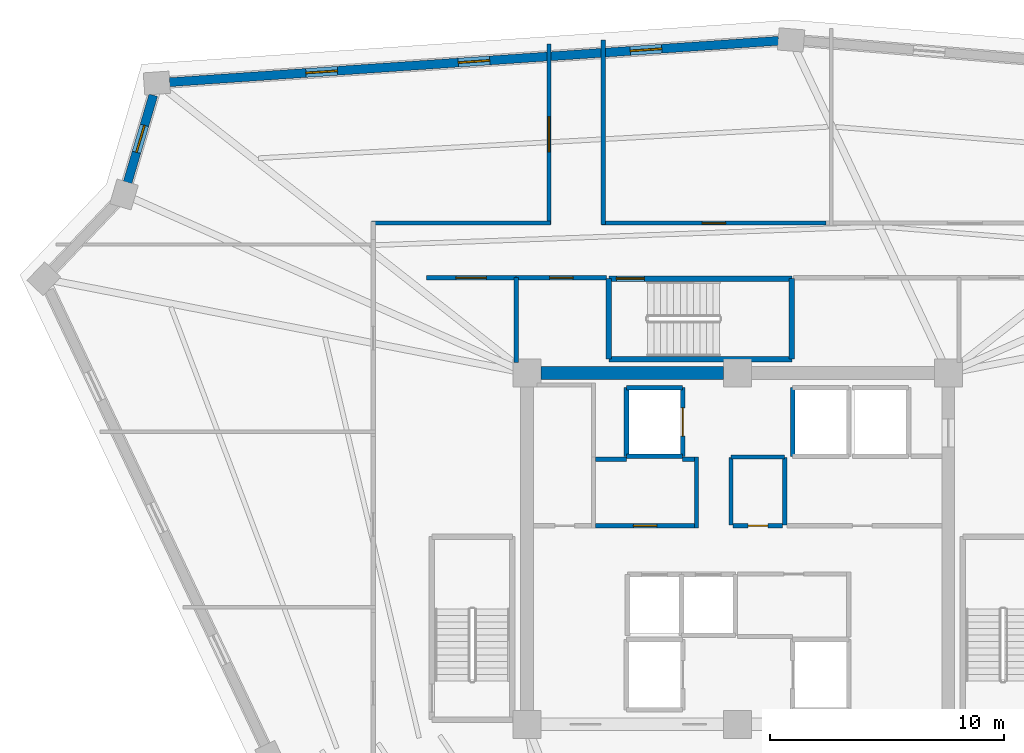
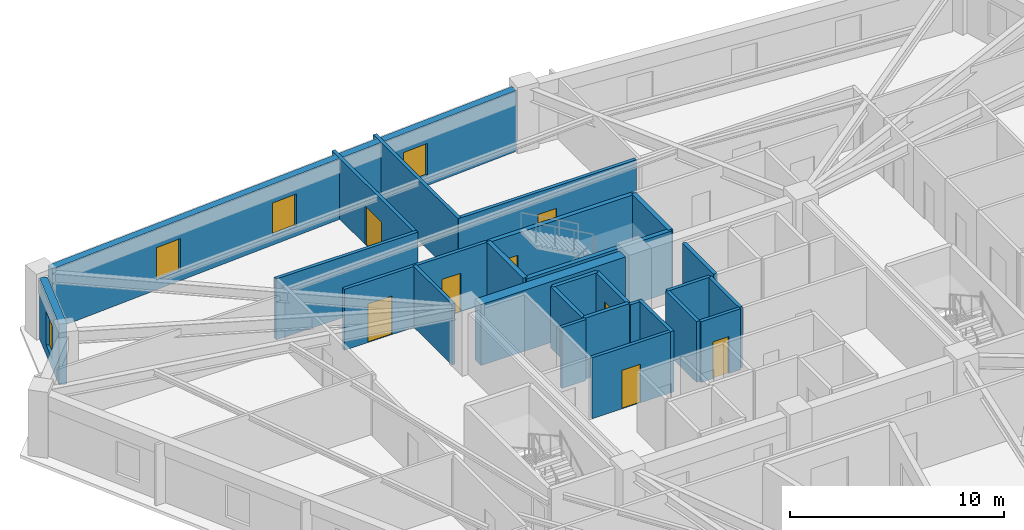
# One storey, part 5 of 8: 27 walls, 8 doors, 4 windows, 12 openings.
"""IFC4 building model written with IfcOpenShell, lengths in metres."""

from ifc_helpers import new_model, si_unit, direction, frame, frame_2d, origin, place, context, subcontext, project, spatial, rectangle, extrude, source, transform, mapped, material, layer, layer_set, type_object, element, fill, save


model = new_model("IFC4")

# Units and contexts
model_context = context("Model", 3, precision=1e-05, world=origin(), true_north=direction((0.0, 1.0)))
body_context = subcontext(model_context, "Body", "Model", "MODEL_VIEW")
ifc_project = project(units=[si_unit("LENGTHUNIT", "METRE"), si_unit("AREAUNIT", "SQUARE_METRE"), si_unit("VOLUMEUNIT", "CUBIC_METRE"), si_unit("PLANEANGLEUNIT", "RADIAN"), si_unit("MASSUNIT", "GRAM", prefix="KILO")], contexts=[model_context])

# Site, building, storey
site_placement = place(None, origin())
site = spatial("IfcSite", under=ifc_project, at=site_placement, CompositionType="ELEMENT")
building_placement = place(site_placement, origin())
building = spatial("IfcBuilding", under=site, at=building_placement, Name="Liaohun Quay Tower", CompositionType="ELEMENT")
storey_placement = place(building_placement, frame((0.0, 0.0, 320.25)))
storey = spatial("IfcBuildingStorey", under=building, at=storey_placement, Name="L83", CompositionType="ELEMENT", Elevation=320.25)

# Wall
ifc_material_1 = material(Name="Concrete C50", Category="concrete")
ifc_layer_1 = layer(ifc_material_1, 0.550048828125, Name="Concrete C50", Category="concrete")
ifc_layer_set_1 = layer_set([ifc_layer_1], Name="Concrete C50")
wall_type_1 = type_object("IfcWallType", Name="WAL-COR-Z4", PredefinedType="SHEAR", material=ifc_layer_set_1)
wall_1_placement = place(storey_placement, frame((51.60009765625, 61.5, 0.0), z_axis=(0.0, 0.0, 1.0), x_axis=(1.0, 0.0, 0.0)))
element("IfcWall", 1, at=wall_1_placement, inside=storey, type_object=wall_type_1, Name="L83 Central Core Shear Wall N-W", PredefinedType="SHEAR", context=body_context, shape_type="SweptSolid", body=[
    extrude(rectangle(XDim=7.7998046875, YDim=0.550048828125, at=frame_2d((3.89990234375, 0.0))), origin(), (0.0, 0.0, 1.0), 3.469970703125),
])

# Wall, openings, windows
ifc_material_2 = material(Name="Precast concrete C50 insulated sandwich", Category="concrete")
ifc_layer_2 = layer(ifc_material_2, 0.3798828125, Name="Precast concrete C50 insulated sandwich", Category="concrete")
ifc_layer_set_2 = layer_set([ifc_layer_2], Name="Precast concrete C50 insulated sandwich")
wall_type_2 = type_object("IfcWallType", Name="WAL-EXT-Z34", PredefinedType="SOLIDWALL", material=ifc_layer_set_2)
wall_2_placement = place(storey_placement, frame((61.74609375, 75.697021484375, 0.0), z_axis=(0.0, 0.0, 1.0), x_axis=(-0.997695779362, -0.067846384155, 0.0)))
wall_2 = element("IfcWall", 2, at=wall_2_placement, inside=storey, type_object=wall_type_2, Name="L83 Brutalist Precast Pier Wall 07", PredefinedType="SOLIDWALL", context=body_context, shape_type="SweptSolid", body=[
    extrude(rectangle(XDim=26.07421875, YDim=0.3798828125, at=frame_2d((13.037109375, 0.0))), origin(), (0.0, 0.0, 1.0), 3.469970703125),
])
shared_shape_1 = source(origin(), body_context, "Body", "SweptSolid", [
    extrude(rectangle(XDim=1.35009765625, YDim=1.85009765625, at=frame_2d((0.675048828125, 0.925048828125))), frame((0.0, 0.199951171875, 0.0), z_axis=(0.0, -1.0, 0.0), x_axis=(1.0, 0.0, 0.0)), (0.0, 0.0, 1.0), 0.39990234375),
])
opening_1_placement = place(wall_2_placement, frame((4.993896484375, 0.0, 0.550048828125)))
opening_1 = element("IfcOpeningElement", 3, at=opening_1_placement, cuts=wall_2, Name="Opening W04", PredefinedType="OPENING", context=body_context, shape_type="MappedRepresentation", body=[
    mapped(shared_shape_1, transform((0.0, 0.0, 0.0), x_axis=(1.0, 0.0, 0.0), y_axis=(0.0, 1.0, 0.0), z_axis=(0.0, 0.0, 1.0), scale=1.0)),
])
opening_2_placement = place(wall_2_placement, frame((12.362060546875, 0.0, 0.550048828125)))
opening_2 = element("IfcOpeningElement", 4, at=opening_2_placement, cuts=wall_2, Name="Opening W04", PredefinedType="OPENING", context=body_context, shape_type="MappedRepresentation", body=[
    mapped(shared_shape_1, transform((0.0, 0.0, 0.0), x_axis=(1.0, 0.0, 0.0), y_axis=(0.0, 1.0, 0.0), z_axis=(0.0, 0.0, 1.0), scale=1.0)),
])
opening_3_placement = place(wall_2_placement, frame((18.881103515625, 0.0, 0.550048828125)))
opening_3 = element("IfcOpeningElement", 5, at=opening_3_placement, cuts=wall_2, Name="Opening W04", PredefinedType="OPENING", context=body_context, shape_type="MappedRepresentation", body=[
    mapped(shared_shape_1, transform((0.0, 0.0, 0.0), x_axis=(1.0, 0.0, 0.0), y_axis=(0.0, 1.0, 0.0), z_axis=(0.0, 0.0, 1.0), scale=1.0)),
])
ifc_material_3 = material(Name="Triple Low-E argon glazing in thermally broken aluminium", Category="aluminium")
window_type_1 = type_object("IfcWindowType", Name="WIN-PUN-Z4", PartitioningType="SINGLE_PANEL", PredefinedType="WINDOW", material=ifc_material_3)
shared_shape_2 = source(origin(), body_context, "Body", "SweptSolid", [
    extrude(rectangle(XDim=1.35009765625, YDim=1.85009765625, at=frame_2d((0.675048828125, 0.925048828125))), frame((0.0, 0.030029296875, 0.0), z_axis=(0.0, -1.0, 0.0), x_axis=(1.0, 0.0, 0.0)), (0.0, 0.0, 1.0), 0.06005859375),
])
window_1_placement = place(opening_1_placement, origin())
window_1 = element("IfcWindow", 6, at=window_1_placement, inside=storey, type_object=window_type_1, Name="L83 Recessed Cold-Climate Punched Window 07-1", OverallHeight=1.85009765625, OverallWidth=1.35009765625, PartitioningType="SINGLE_PANEL", PredefinedType="WINDOW", context=body_context, shape_type="MappedRepresentation", body=[
    mapped(shared_shape_2, transform((0.0, 0.0, 0.0), x_axis=(1.0, 0.0, 0.0), y_axis=(0.0, 1.0, 0.0), z_axis=(0.0, 0.0, 1.0), scale=1.0)),
])
fill(opening_1, window_1)
window_2_placement = place(opening_2_placement, origin())
window_2 = element("IfcWindow", 7, at=window_2_placement, inside=storey, type_object=window_type_1, Name="L83 Recessed Cold-Climate Punched Window 07-2", OverallHeight=1.85009765625, OverallWidth=1.35009765625, PartitioningType="SINGLE_PANEL", PredefinedType="WINDOW", context=body_context, shape_type="MappedRepresentation", body=[
    mapped(shared_shape_2, transform((0.0, 0.0, 0.0), x_axis=(1.0, 0.0, 0.0), y_axis=(0.0, 1.0, 0.0), z_axis=(0.0, 0.0, 1.0), scale=1.0)),
])
fill(opening_2, window_2)
window_3_placement = place(opening_3_placement, origin())
window_3 = element("IfcWindow", 8, at=window_3_placement, inside=storey, type_object=window_type_1, Name="L83 Recessed Cold-Climate Punched Window 07-3", OverallHeight=1.85009765625, OverallWidth=1.35009765625, PartitioningType="SINGLE_PANEL", PredefinedType="WINDOW", context=body_context, shape_type="MappedRepresentation", body=[
    mapped(shared_shape_2, transform((0.0, 0.0, 0.0), x_axis=(1.0, 0.0, 0.0), y_axis=(0.0, 1.0, 0.0), z_axis=(0.0, 0.0, 1.0), scale=1.0)),
])
fill(opening_3, window_3)

# Wall, opening, window
wall_3_placement = place(storey_placement, frame((35.0400390625, 73.373046875, 0.0), z_axis=(0.0, 0.0, 1.0), x_axis=(-0.282612406993, -0.959234187992, 0.0)))
wall_3 = element("IfcWall", 9, at=wall_3_placement, inside=storey, type_object=wall_type_2, Name="L83 Brutalist Precast Pier Wall 08", PredefinedType="SOLIDWALL", context=body_context, shape_type="SweptSolid", body=[
    extrude(rectangle(XDim=3.88134765625, YDim=0.3798828125, at=frame_2d((1.940673828125, 0.0))), origin(), (0.0, 0.0, 1.0), 3.469970703125),
])
shared_shape_3 = source(origin(), body_context, "Body", "SweptSolid", [
    extrude(rectangle(XDim=1.199951171875, YDim=1.89990234375, at=frame_2d((0.60009765625, 0.949951171875))), frame((0.0, 0.199951171875, 0.0), z_axis=(0.0, -1.0, 0.0), x_axis=(1.0, 0.0, 0.0)), (0.0, 0.0, 1.0), 0.39990234375),
])
opening_4_placement = place(wall_3_placement, frame((1.341064453125, 0.0, 0.550048828125)))
opening_4 = element("IfcOpeningElement", 10, at=opening_4_placement, cuts=wall_3, Name="Opening W05", PredefinedType="OPENING", context=body_context, shape_type="MappedRepresentation", body=[
    mapped(shared_shape_3, transform((0.0, 0.0, 0.0), x_axis=(1.0, 0.0, 0.0), y_axis=(0.0, 1.0, 0.0), z_axis=(0.0, 0.0, 1.0), scale=1.0)),
])
ifc_material_4 = material(Name="Triple Low-E corner notch glazing", Category="glass")
window_type_2 = type_object("IfcWindowType", Name="WIN-NOTCH", PartitioningType="SINGLE_PANEL", PredefinedType="WINDOW", material=ifc_material_4)
shared_shape_4 = source(origin(), body_context, "Body", "SweptSolid", [
    extrude(rectangle(XDim=1.199951171875, YDim=1.89990234375, at=frame_2d((0.60009765625, 0.949951171875))), frame((0.0, 0.030029296875, 0.0), z_axis=(0.0, -1.0, 0.0), x_axis=(1.0, 0.0, 0.0)), (0.0, 0.0, 1.0), 0.06005859375),
])
window_4_placement = place(opening_4_placement, origin())
window_4 = element("IfcWindow", 11, at=window_4_placement, inside=storey, type_object=window_type_2, Name="L83 Corner Notch Window W05-08", OverallHeight=1.89990234375, OverallWidth=1.199951171875, PartitioningType="SINGLE_PANEL", PredefinedType="WINDOW", context=body_context, shape_type="MappedRepresentation", body=[
    mapped(shared_shape_4, transform((0.0, 0.0, 0.0), x_axis=(1.0, 0.0, 0.0), y_axis=(0.0, 1.0, 0.0), z_axis=(0.0, 0.0, 1.0), scale=1.0)),
])
fill(opening_4, window_4)

# Wall, opening, door
ifc_material_5 = material(Name="Autoclaved aerated concrete blockwork", Category="masonry")
ifc_layer_3 = layer(ifc_material_5, 0.179931640625, Name="Autoclaved aerated concrete blockwork", Category="masonry")
ifc_layer_set_3 = layer_set([ifc_layer_3], Name="Autoclaved aerated concrete blockwork")
wall_type_3 = type_object("IfcWallType", Name="WAL-PRT-COR", PredefinedType="PARTITIONING", material=ifc_layer_set_3)
wall_4_placement = place(storey_placement, frame((53.93994140625, 54.97998046875, 0.0), z_axis=(0.0, 0.0, 1.0), x_axis=(1.0, 0.0, 0.0)))
wall_4 = element("IfcWall", 12, at=wall_4_placement, inside=storey, type_object=wall_type_3, Name="L83 Interior Partition Wall 002", PredefinedType="PARTITIONING", context=body_context, shape_type="SweptSolid", body=[
    extrude(rectangle(XDim=4.219970703125, YDim=0.179931640625, at=frame_2d((2.10986328125, 0.0))), origin(), (0.0, 0.0, 1.0), 3.469970703125),
])
shared_shape_5 = source(origin(), body_context, "Body", "SweptSolid", [
    extrude(rectangle(XDim=1.0, YDim=2.199951171875, at=frame_2d((0.5, 1.10009765625))), frame((0.0, 0.099853515625, 0.0), z_axis=(0.0, -1.0, 0.0), x_axis=(1.0, 0.0, 0.0)), (0.0, 0.0, 1.0), 0.199951171875),
])
opening_5_placement = place(wall_4_placement, frame((1.610107421875, 0.0, 0.0)))
opening_5 = element("IfcOpeningElement", 13, at=opening_5_placement, cuts=wall_4, Name="Opening OD1", PredefinedType="OPENING", context=body_context, shape_type="MappedRepresentation", body=[
    mapped(shared_shape_5, transform((0.0, 0.0, 0.0), x_axis=(1.0, 0.0, 0.0), y_axis=(0.0, 1.0, 0.0), z_axis=(0.0, 0.0, 1.0), scale=1.0)),
])
ifc_material_6 = material(Name="Solid-core oak veneer timber leaf in steel frame", Category="steel")
door_type_1 = type_object("IfcDoorType", Name="DOR-OFF-1000", OperationType="NOTDEFINED", PredefinedType="DOOR", material=ifc_material_6)
shared_shape_6 = source(origin(), body_context, "Body", "SweptSolid", [
    extrude(rectangle(XDim=1.0, YDim=2.199951171875, at=frame_2d((0.5, 1.10009765625))), frame((0.0, 0.02490234375, 0.0), z_axis=(0.0, -1.0, 0.0), x_axis=(1.0, 0.0, 0.0)), (0.0, 0.0, 1.0), 0.050048828125),
])
door_1_placement = place(opening_5_placement, origin())
door_1 = element("IfcDoor", 14, at=door_1_placement, inside=storey, type_object=door_type_1, Name="L83 Core Staff Pantry and Tea Room Door", OperationType="SINGLE_SWING_LEFT", OverallHeight=2.199951171875, OverallWidth=1.0, PredefinedType="DOOR", context=body_context, shape_type="MappedRepresentation", body=[
    mapped(shared_shape_6, transform((0.0, 0.0, 0.0), x_axis=(1.0, 0.0, 0.0), y_axis=(0.0, 1.0, 0.0), z_axis=(0.0, 0.0, 1.0), scale=1.0)),
])
fill(opening_5, door_1)

wall_5_placement = place(storey_placement, frame((59.81005859375, 54.97998046875, 0.0), z_axis=(0.0, 0.0, 1.0), x_axis=(1.0, 0.0, 0.0)))
wall_5 = element("IfcWall", 15, at=wall_5_placement, inside=storey, type_object=wall_type_3, Name="L83 Interior Partition Wall 005", PredefinedType="PARTITIONING", context=body_context, shape_type="SweptSolid", body=[
    extrude(rectangle(XDim=2.10986328125, YDim=0.179931640625, at=frame_2d((1.054931640625, 0.0))), origin(), (0.0, 0.0, 1.0), 3.469970703125),
])
shared_shape_7 = source(origin(), body_context, "Body", "SweptSolid", [
    extrude(rectangle(XDim=0.85009765625, YDim=2.10009765625, at=frame_2d((0.425048828125, 1.050048828125))), frame((0.0, 0.099853515625, 0.0), z_axis=(0.0, -1.0, 0.0), x_axis=(1.0, 0.0, 0.0)), (0.0, 0.0, 1.0), 0.199951171875),
])
opening_6_placement = place(wall_5_placement, frame((0.635009765625, 0.0, 0.0)))
opening_6 = element("IfcOpeningElement", 16, at=opening_6_placement, cuts=wall_5, Name="Opening AD1", PredefinedType="OPENING", context=body_context, shape_type="MappedRepresentation", body=[
    mapped(shared_shape_7, transform((0.0, 0.0, 0.0), x_axis=(1.0, 0.0, 0.0), y_axis=(0.0, 1.0, 0.0), z_axis=(0.0, 0.0, 1.0), scale=1.0)),
])
ifc_material_7 = material(Name="Steel riser inspection fire door", Category="steel")
door_type_2 = type_object("IfcDoorType", Name="DOR-SHF-850", OperationType="NOTDEFINED", PredefinedType="DOOR", material=ifc_material_7)
shared_shape_8 = source(origin(), body_context, "Body", "SweptSolid", [
    extrude(rectangle(XDim=0.85009765625, YDim=2.10009765625, at=frame_2d((0.425048828125, 1.050048828125))), frame((0.0, 0.02490234375, 0.0), z_axis=(0.0, -1.0, 0.0), x_axis=(1.0, 0.0, 0.0)), (0.0, 0.0, 1.0), 0.050048828125),
])
door_2_placement = place(opening_6_placement, origin())
door_2 = element("IfcDoor", 17, at=door_2_placement, inside=storey, type_object=door_type_2, Name="L83 Core Electrical and Telecom Riser Room Door", OperationType="SINGLE_SWING_RIGHT", OverallHeight=2.10009765625, OverallWidth=0.85009765625, PredefinedType="DOOR", context=body_context, shape_type="MappedRepresentation", body=[
    mapped(shared_shape_8, transform((0.0, 0.0, 0.0), x_axis=(1.0, 0.0, 0.0), y_axis=(0.0, 1.0, 0.0), z_axis=(0.0, 0.0, 1.0), scale=1.0)),
])
fill(opening_6, door_2)

wall_6_placement = place(storey_placement, frame((50.5400390625, 65.580078125, 0.0), z_axis=(0.0, 0.0, 1.0), x_axis=(1.0, 0.0, 0.0)))
wall_6 = element("IfcWall", 18, at=wall_6_placement, inside=storey, type_object=wall_type_3, Name="L83 Interior Partition Wall 009", PredefinedType="PARTITIONING", context=body_context, shape_type="SweptSolid", body=[
    extrude(rectangle(XDim=3.869873046875, YDim=0.179931640625, at=frame_2d((1.93505859375, 0.0))), origin(), (0.0, 0.0, 1.0), 3.469970703125),
])
opening_7_placement = place(wall_6_placement, frame((1.43505859375, 0.0, 0.0)))
opening_7 = element("IfcOpeningElement", 19, at=opening_7_placement, cuts=wall_6, Name="Opening OD1", PredefinedType="OPENING", context=body_context, shape_type="MappedRepresentation", body=[
    mapped(shared_shape_5, transform((0.0, 0.0, 0.0), x_axis=(1.0, 0.0, 0.0), y_axis=(0.0, 1.0, 0.0), z_axis=(0.0, 0.0, 1.0), scale=1.0)),
])
door_3_placement = place(opening_7_placement, origin())
door_3 = element("IfcDoor", 20, at=door_3_placement, inside=storey, type_object=door_type_1, Name="L83 North-West Print and Telecom Room Door", OperationType="SINGLE_SWING_RIGHT", OverallHeight=2.199951171875, OverallWidth=1.0, PredefinedType="DOOR", context=body_context, shape_type="MappedRepresentation", body=[
    mapped(shared_shape_6, transform((0.0, 0.0, 0.0), x_axis=(1.0, 0.0, 0.0), y_axis=(0.0, 1.0, 0.0), z_axis=(0.0, 0.0, 1.0), scale=1.0)),
])
fill(opening_7, door_3)

wall_7_placement = place(storey_placement, frame((46.699951171875, 65.580078125, 0.0), z_axis=(0.0, 0.0, 1.0), x_axis=(1.0, 0.0, 0.0)))
wall_7 = element("IfcWall", 21, at=wall_7_placement, inside=storey, type_object=wall_type_3, Name="L83 Interior Partition Wall 011", PredefinedType="PARTITIONING", context=body_context, shape_type="SweptSolid", body=[
    extrude(rectangle(XDim=3.840087890625, YDim=0.179931640625, at=frame_2d((1.919921875, 0.0))), origin(), (0.0, 0.0, 1.0), 3.469970703125),
])
shared_shape_9 = source(origin(), body_context, "Body", "SweptSolid", [
    extrude(rectangle(XDim=1.300048828125, YDim=2.199951171875, at=frame_2d((0.64990234375, 1.10009765625))), frame((0.0, 0.099853515625, 0.0), z_axis=(0.0, -1.0, 0.0), x_axis=(1.0, 0.0, 0.0)), (0.0, 0.0, 1.0), 0.199951171875),
])
opening_8_placement = place(wall_7_placement, frame((1.27001953125, 0.0, 0.0)))
opening_8 = element("IfcOpeningElement", 22, at=opening_8_placement, cuts=wall_7, Name="Opening FD1", PredefinedType="OPENING", context=body_context, shape_type="MappedRepresentation", body=[
    mapped(shared_shape_9, transform((0.0, 0.0, 0.0), x_axis=(1.0, 0.0, 0.0), y_axis=(0.0, 1.0, 0.0), z_axis=(0.0, 0.0, 1.0), scale=1.0)),
])
ifc_material_8 = material(Name="Galvanised steel smokeproof fire door", Category="steel")
door_type_3 = type_object("IfcDoorType", Name="DOR-FFL-1300", OperationType="NOTDEFINED", PredefinedType="DOOR", material=ifc_material_8)
shared_shape_10 = source(origin(), body_context, "Body", "SweptSolid", [
    extrude(rectangle(XDim=1.300048828125, YDim=2.199951171875, at=frame_2d((0.64990234375, 1.10009765625))), frame((0.0, 0.02490234375, 0.0), z_axis=(0.0, -1.0, 0.0), x_axis=(1.0, 0.0, 0.0)), (0.0, 0.0, 1.0), 0.050048828125),
])
door_4_placement = place(opening_8_placement, origin())
door_4 = element("IfcDoor", 23, at=door_4_placement, inside=storey, type_object=door_type_3, Name="L83 West Core Vestibule Door", OperationType="SINGLE_SWING_RIGHT", OverallHeight=2.199951171875, OverallWidth=1.300048828125, PredefinedType="DOOR", context=body_context, shape_type="MappedRepresentation", body=[
    mapped(shared_shape_10, transform((0.0, 0.0, 0.0), x_axis=(1.0, 0.0, 0.0), y_axis=(0.0, 1.0, 0.0), z_axis=(0.0, 0.0, 1.0), scale=1.0)),
])
fill(opening_8, door_4)

wall_8_placement = place(storey_placement, frame((54.18994140625, 67.909912109375, 0.0), z_axis=(0.0, 0.0, 1.0), x_axis=(1.0, 0.0, 0.0)))
wall_8 = element("IfcWall", 24, at=wall_8_placement, inside=storey, type_object=wall_type_3, Name="L83 Interior Partition Wall 015", PredefinedType="PARTITIONING", context=body_context, shape_type="SweptSolid", body=[
    extrude(rectangle(XDim=9.594970703125, YDim=0.179931640625, at=frame_2d((4.79736328125, 0.0))), origin(), (0.0, 0.0, 1.0), 3.469970703125),
])
opening_9_placement = place(wall_8_placement, frame((4.297119140625, 0.0, 0.0)))
opening_9 = element("IfcOpeningElement", 25, at=opening_9_placement, cuts=wall_8, Name="Opening OD1", PredefinedType="OPENING", context=body_context, shape_type="MappedRepresentation", body=[
    mapped(shared_shape_5, transform((0.0, 0.0, 0.0), x_axis=(1.0, 0.0, 0.0), y_axis=(0.0, 1.0, 0.0), z_axis=(0.0, 0.0, 1.0), scale=1.0)),
])
door_5_placement = place(opening_9_placement, origin())
door_5 = element("IfcDoor", 26, at=door_5_placement, inside=storey, type_object=door_type_1, Name="L83 Occupational Wellness Clinic 03 Door", OperationType="SINGLE_SWING_RIGHT", OverallHeight=2.199951171875, OverallWidth=1.0, PredefinedType="DOOR", context=body_context, shape_type="MappedRepresentation", body=[
    mapped(shared_shape_6, transform((0.0, 0.0, 0.0), x_axis=(1.0, 0.0, 0.0), y_axis=(0.0, 1.0, 0.0), z_axis=(0.0, 0.0, 1.0), scale=1.0)),
])
fill(opening_9, door_5)

wall_9_placement = place(storey_placement, frame((51.93994140625, 67.840087890625, 0.0), z_axis=(0.0, 0.0, 1.0), x_axis=(0.0, 1.0, 0.0)))
wall_9 = element("IfcWall", 27, at=wall_9_placement, inside=storey, type_object=wall_type_3, Name="L83 Interior Partition Wall 016", PredefinedType="PARTITIONING", context=body_context, shape_type="SweptSolid", body=[
    extrude(rectangle(XDim=7.73095703125, YDim=0.179931640625, at=frame_2d((3.865478515625, 0.0))), origin(), (0.0, 0.0, 1.0), 3.469970703125),
])
shared_shape_11 = source(origin(), body_context, "Body", "SweptSolid", [
    extrude(rectangle(XDim=1.5, YDim=2.199951171875, at=frame_2d((0.75, 1.10009765625))), frame((0.0, 0.099853515625, 0.0), z_axis=(0.0, -1.0, 0.0), x_axis=(1.0, 0.0, 0.0)), (0.0, 0.0, 1.0), 0.199951171875),
])
opening_10_placement = place(wall_9_placement, frame((3.114990234375, 0.0, 0.0)))
opening_10 = element("IfcOpeningElement", 28, at=opening_10_placement, cuts=wall_9, Name="Opening OD2", PredefinedType="OPENING", context=body_context, shape_type="MappedRepresentation", body=[
    mapped(shared_shape_11, transform((0.0, 0.0, 0.0), x_axis=(1.0, 0.0, 0.0), y_axis=(0.0, 1.0, 0.0), z_axis=(0.0, 0.0, 1.0), scale=1.0)),
])
ifc_material_9 = material(Name="Acoustic oak veneer double door")
door_type_4 = type_object("IfcDoorType", Name="DOR-OFF-1500", OperationType="DOUBLE_DOOR_SINGLE_SWING", PredefinedType="DOOR", material=ifc_material_9)
shared_shape_12 = source(origin(), body_context, "Body", "SweptSolid", [
    extrude(rectangle(XDim=1.5, YDim=2.199951171875, at=frame_2d((0.75, 1.10009765625))), frame((0.0, 0.02490234375, 0.0), z_axis=(0.0, -1.0, 0.0), x_axis=(1.0, 0.0, 0.0)), (0.0, 0.0, 1.0), 0.050048828125),
])
door_6_placement = place(opening_10_placement, origin())
door_6 = element("IfcDoor", 29, at=door_6_placement, inside=storey, type_object=door_type_4, Name="L83 Project Collaboration Studio 04 Door", OperationType="DOUBLE_DOOR_SINGLE_SWING", OverallHeight=2.199951171875, OverallWidth=1.5, PredefinedType="DOOR", context=body_context, shape_type="MappedRepresentation", body=[
    mapped(shared_shape_12, transform((0.0, 0.0, 0.0), x_axis=(1.0, 0.0, 0.0), y_axis=(0.0, 1.0, 0.0), z_axis=(0.0, 0.0, 1.0), scale=1.0)),
])
fill(opening_10, door_6)

# Walls
for number, where, z_axis, x_axis, name in (
    (30, (59.719970703125, 55.02001953125, 0.0), (0.0, 0.0, 1.0), (0.0, 1.0, 0.0), "L83 Interior Partition Wall 023"),
    (31, (62.010009765625, 55.02001953125, 0.0), (0.0, 0.0, 1.0), (0.0, 1.0, 0.0), "L83 Interior Partition Wall 024"),
):
    element("IfcWall", number, at=place(storey_placement, frame(where, z_axis=z_axis, x_axis=x_axis)), inside=storey, type_object=wall_type_3, Name=name, PredefinedType="PARTITIONING", context=body_context, shape_type="SweptSolid", body=[
        extrude(rectangle(XDim=2.8798828125, YDim=0.179931640625, at=frame_2d((1.43994140625, 0.0))), origin(), (0.0, 0.0, 1.0), 3.469970703125),
    ])
wall_10_placement = place(storey_placement, frame((59.719970703125, 57.919921875, 0.0), z_axis=(0.0, 0.0, 1.0), x_axis=(1.0, 0.0, 0.0)))
element("IfcWall", 32, at=wall_10_placement, inside=storey, type_object=wall_type_3, Name="L83 Interior Partition Wall 025", PredefinedType="PARTITIONING", context=body_context, shape_type="SweptSolid", body=[
    extrude(rectangle(XDim=2.2900390625, YDim=0.179931640625, at=frame_2d((1.14501953125, 0.0))), origin(), (0.0, 0.0, 1.0), 3.469970703125),
])
wall_11_placement = place(storey_placement, frame((50.5400390625, 61.949951171875, 0.0), z_axis=(0.0, 0.0, 1.0), x_axis=(0.0, 1.0, 0.0)))
element("IfcWall", 33, at=wall_11_placement, inside=storey, type_object=wall_type_3, Name="L83 Interior Partition Wall 031", PredefinedType="PARTITIONING", context=body_context, shape_type="SweptSolid", body=[
    extrude(rectangle(XDim=3.630126953125, YDim=0.179931640625, at=frame_2d((1.81494140625, 0.0))), origin(), (0.0, 0.0, 1.0), 3.469970703125),
])
wall_12_placement = place(storey_placement, frame((54.260009765625, 75.72900390625, 0.0), z_axis=(0.0, 0.0, 1.0), x_axis=(0.0, -1.0, 0.0)))
element("IfcWall", 34, at=wall_12_placement, inside=storey, type_object=wall_type_3, Name="L83 Interior Partition Wall 035", PredefinedType="PARTITIONING", context=body_context, shape_type="SweptSolid", body=[
    extrude(rectangle(XDim=7.888916015625, YDim=0.179931640625, at=frame_2d((3.9443359375, 0.0))), origin(), (0.0, 0.0, 1.0), 3.469970703125),
])
wall_13_placement = place(storey_placement, frame((44.3701171875, 67.909912109375, 0.0), z_axis=(0.0, 0.0, 1.0), x_axis=(1.0, 0.0, 0.0)))
element("IfcWall", 35, at=wall_13_placement, inside=storey, type_object=wall_type_3, Name="L83 Interior Partition Wall 036", PredefinedType="PARTITIONING", context=body_context, shape_type="SweptSolid", body=[
    extrude(rectangle(XDim=7.639892578125, YDim=0.179931640625, at=frame_2d((3.81982421875, 0.0))), origin(), (0.0, 0.0, 1.0), 3.469970703125),
])
wall_14_placement = place(storey_placement, frame((58.25, 54.889892578125, 0.0), z_axis=(0.0, 0.0, 1.0), x_axis=(0.0, 1.0, 0.0)))
element("IfcWall", 36, at=wall_14_placement, inside=storey, type_object=wall_type_3, Name="L83 Interior Partition Wall 053", PredefinedType="PARTITIONING", context=body_context, shape_type="SweptSolid", body=[
    extrude(rectangle(XDim=3.02001953125, YDim=0.179931640625, at=frame_2d((1.510009765625, 0.0))), origin(), (0.0, 0.0, 1.0), 3.469970703125),
])
wall_15_placement = place(storey_placement, frame((53.93994140625, 57.820068359375, 0.0), z_axis=(0.0, 0.0, 1.0), x_axis=(1.0, 0.0, 0.0)))
element("IfcWall", 37, at=wall_15_placement, inside=storey, type_object=wall_type_3, Name="L83 Interior Partition Wall 054", PredefinedType="PARTITIONING", context=body_context, shape_type="SweptSolid", body=[
    extrude(rectangle(XDim=1.31005859375, YDim=0.179931640625, at=frame_2d((0.655029296875, 0.0))), origin(), (0.0, 0.0, 1.0), 3.469970703125),
])
wall_16_placement = place(storey_placement, frame((57.64990234375, 57.820068359375, 0.0), z_axis=(0.0, 0.0, 1.0), x_axis=(1.0, 0.0, 0.0)))
element("IfcWall", 38, at=wall_16_placement, inside=storey, type_object=wall_type_3, Name="L83 Interior Partition Wall 055", PredefinedType="PARTITIONING", context=body_context, shape_type="SweptSolid", body=[
    extrude(rectangle(XDim=0.510009765625, YDim=0.179931640625, at=frame_2d((0.2548828125, 0.0))), origin(), (0.0, 0.0, 1.0), 3.469970703125),
])
ifc_layer_4 = layer(ifc_material_1, 0.239990234375, Name="Concrete C50", Category="concrete")
ifc_layer_set_4 = layer_set([ifc_layer_4], Name="Concrete C50")
wall_type_4 = type_object("IfcWallType", Name="WAL-SHF-200", PredefinedType="SOLIDWALL", material=ifc_layer_set_4)
wall_17_placement = place(storey_placement, frame((54.5, 62.10009765625, 0.0), z_axis=(0.0, 0.0, 1.0), x_axis=(1.0, 0.0, 0.0)))
element("IfcWall", 39, at=wall_17_placement, inside=storey, type_object=wall_type_4, Name="L83 Stairwell ST-3 Structural Core Wall S", PredefinedType="SOLIDWALL", context=body_context, shape_type="SweptSolid", body=[
    extrude(rectangle(XDim=7.820068359375, YDim=0.239990234375, at=frame_2d((3.91015625, 0.0))), origin(), (0.0, 0.0, 1.0), 3.469970703125),
])
wall_18_placement = place(storey_placement, frame((62.320068359375, 62.10009765625, 0.0), z_axis=(0.0, 0.0, 1.0), x_axis=(0.0, 1.0, 0.0)))
element("IfcWall", 40, at=wall_18_placement, inside=storey, type_object=wall_type_4, Name="L83 Stairwell ST-3 Structural Core Wall E", PredefinedType="SOLIDWALL", context=body_context, shape_type="SweptSolid", body=[
    extrude(rectangle(XDim=3.43994140625, YDim=0.239990234375, at=frame_2d((1.719970703125, 0.0))), origin(), (0.0, 0.0, 1.0), 3.469970703125),
])

# Wall, opening, door
wall_19_placement = place(storey_placement, frame((62.320068359375, 65.5400390625, 0.0), z_axis=(0.0, 0.0, 1.0), x_axis=(-1.0, 0.0, 0.0)))
wall_19 = element("IfcWall", 41, at=wall_19_placement, inside=storey, type_object=wall_type_4, Name="L83 Stairwell ST-3 Structural Core Wall N", PredefinedType="SOLIDWALL", context=body_context, shape_type="SweptSolid", body=[
    extrude(rectangle(XDim=7.820068359375, YDim=0.239990234375, at=frame_2d((3.91015625, 0.0))), origin(), (0.0, 0.0, 1.0), 3.469970703125),
])
shared_shape_13 = source(origin(), body_context, "Body", "SweptSolid", [
    extrude(rectangle(XDim=1.199951171875, YDim=2.199951171875, at=frame_2d((0.60009765625, 1.10009765625))), frame((0.0, 0.1298828125, 0.0), z_axis=(0.0, -1.0, 0.0), x_axis=(1.0, 0.0, 0.0)), (0.0, 0.0, 1.0), 0.260009765625),
])
opening_11_placement = place(wall_19_placement, frame((6.300048828125, 0.0, 0.0)))
opening_11 = element("IfcOpeningElement", 42, at=opening_11_placement, cuts=wall_19, Name="Opening SD1", PredefinedType="OPENING", context=body_context, shape_type="MappedRepresentation", body=[
    mapped(shared_shape_13, transform((0.0, 0.0, 0.0), x_axis=(1.0, 0.0, 0.0), y_axis=(0.0, 1.0, 0.0), z_axis=(0.0, 0.0, 1.0), scale=1.0)),
])
ifc_material_10 = material(Name="Galvanised steel fire door", Category="steel")
door_type_5 = type_object("IfcDoorType", Name="DOR-STR-1200", OperationType="NOTDEFINED", PredefinedType="DOOR", material=ifc_material_10)
shared_shape_14 = source(origin(), body_context, "Body", "SweptSolid", [
    extrude(rectangle(XDim=1.199951171875, YDim=2.199951171875, at=frame_2d((0.60009765625, 1.10009765625))), frame((0.0, 0.02490234375, 0.0), z_axis=(0.0, -1.0, 0.0), x_axis=(1.0, 0.0, 0.0)), (0.0, 0.0, 1.0), 0.050048828125),
])
door_7_placement = place(opening_11_placement, origin())
door_7 = element("IfcDoor", 43, at=door_7_placement, inside=storey, type_object=door_type_5, Name="L83 Protected Stair ST-3 Fire Door", OperationType="SINGLE_SWING_RIGHT", OverallHeight=2.199951171875, OverallWidth=1.199951171875, PredefinedType="DOOR", context=body_context, shape_type="MappedRepresentation", body=[
    mapped(shared_shape_14, transform((0.0, 0.0, 0.0), x_axis=(1.0, 0.0, 0.0), y_axis=(0.0, 1.0, 0.0), z_axis=(0.0, 0.0, 1.0), scale=1.0)),
])
fill(opening_11, door_7)

# Walls
wall_20_placement = place(storey_placement, frame((54.5, 65.5400390625, 0.0), z_axis=(0.0, 0.0, 1.0), x_axis=(0.0, -1.0, 0.0)))
element("IfcWall", 44, at=wall_20_placement, inside=storey, type_object=wall_type_4, Name="L83 Stairwell ST-3 Structural Core Wall W", PredefinedType="SOLIDWALL", context=body_context, shape_type="SweptSolid", body=[
    extrude(rectangle(XDim=3.43994140625, YDim=0.239990234375, at=frame_2d((1.719970703125, 0.0))), origin(), (0.0, 0.0, 1.0), 3.469970703125),
])
wall_21_placement = place(storey_placement, frame((55.25, 57.949951171875, 0.0), z_axis=(0.0, 0.0, 1.0), x_axis=(1.0, 0.0, 0.0)))
element("IfcWall", 45, at=wall_21_placement, inside=storey, type_object=wall_type_4, Name="L83 Lift FF-03 Hoistway Wall S", PredefinedType="SOLIDWALL", context=body_context, shape_type="SweptSolid", body=[
    extrude(rectangle(XDim=2.39990234375, YDim=0.199951171875, at=frame_2d((1.199951171875, 0.0))), origin(), (0.0, 0.0, 1.0), 3.469970703125),
])

# Wall, opening, door
wall_22_placement = place(storey_placement, frame((57.64990234375, 57.949951171875, 0.0), z_axis=(0.0, 0.0, 1.0), x_axis=(0.0, 1.0, 0.0)))
wall_22 = element("IfcWall", 46, at=wall_22_placement, inside=storey, type_object=wall_type_4, Name="L83 Lift FF-03 Hoistway Wall E", PredefinedType="SOLIDWALL", context=body_context, shape_type="SweptSolid", body=[
    extrude(rectangle(XDim=2.929931640625, YDim=0.199951171875, at=frame_2d((1.46484375, 0.0))), origin(), (0.0, 0.0, 1.0), 3.469970703125),
])
shared_shape_15 = source(origin(), body_context, "Body", "SweptSolid", [
    extrude(rectangle(XDim=1.199951171875, YDim=2.300048828125, at=frame_2d((0.60009765625, 1.14990234375))), frame((0.0, 0.10986328125, 0.0), z_axis=(0.0, -1.0, 0.0), x_axis=(1.0, 0.0, 0.0)), (0.0, 0.0, 1.0), 0.219970703125),
])
opening_12_placement = place(wall_22_placement, frame((0.864990234375, 0.0, 0.0)))
opening_12 = element("IfcOpeningElement", 47, at=opening_12_placement, cuts=wall_22, Name="Opening LD2", PredefinedType="OPENING", context=body_context, shape_type="MappedRepresentation", body=[
    mapped(shared_shape_15, transform((0.0, 0.0, 0.0), x_axis=(1.0, 0.0, 0.0), y_axis=(0.0, 1.0, 0.0), z_axis=(0.0, 0.0, 1.0), scale=1.0)),
])
ifc_material_11 = material(Name="Brushed stainless steel stretcher landing door", Category="steel")
door_type_6 = type_object("IfcDoorType", Name="DOR-LFT-1200", OperationType="SLIDING_TO_LEFT", PredefinedType="DOOR", material=ifc_material_11)
shared_shape_16 = source(origin(), body_context, "Body", "SweptSolid", [
    extrude(rectangle(XDim=1.199951171875, YDim=2.300048828125, at=frame_2d((0.60009765625, 1.14990234375))), frame((0.0, 0.02490234375, 0.0), z_axis=(0.0, -1.0, 0.0), x_axis=(1.0, 0.0, 0.0)), (0.0, 0.0, 1.0), 0.050048828125),
])
door_8_placement = place(opening_12_placement, origin())
door_8 = element("IfcDoor", 48, at=door_8_placement, inside=storey, type_object=door_type_6, Name="L83 Lift FF-03 Sliding Landing Door", OperationType="SLIDING_TO_LEFT", OverallHeight=2.300048828125, OverallWidth=1.199951171875, PredefinedType="DOOR", context=body_context, shape_type="MappedRepresentation", body=[
    mapped(shared_shape_16, transform((0.0, 0.0, 0.0), x_axis=(1.0, 0.0, 0.0), y_axis=(0.0, 1.0, 0.0), z_axis=(0.0, 0.0, 1.0), scale=1.0)),
])
fill(opening_12, door_8)

# Walls
wall_23_placement = place(storey_placement, frame((57.64990234375, 60.8798828125, 0.0), z_axis=(0.0, 0.0, 1.0), x_axis=(-1.0, 0.0, 0.0)))
element("IfcWall", 49, at=wall_23_placement, inside=storey, type_object=wall_type_4, Name="L83 Lift FF-03 Hoistway Wall N", PredefinedType="SOLIDWALL", context=body_context, shape_type="SweptSolid", body=[
    extrude(rectangle(XDim=2.39990234375, YDim=0.199951171875, at=frame_2d((1.199951171875, 0.0))), origin(), (0.0, 0.0, 1.0), 3.469970703125),
])
for number, where, z_axis, x_axis, name in (
    (50, (55.25, 60.8798828125, 0.0), (0.0, 0.0, 1.0), (0.0, -1.0, 0.0), "L83 Lift FF-03 Hoistway Wall W"),
    (51, (62.35009765625, 60.8798828125, 0.0), (0.0, 0.0, 1.0), (0.0, -1.0, 0.0), "L83 Lift OB-01 Hoistway Wall W"),
):
    element("IfcWall", number, at=place(storey_placement, frame(where, z_axis=z_axis, x_axis=x_axis)), inside=storey, type_object=wall_type_4, Name=name, PredefinedType="SOLIDWALL", context=body_context, shape_type="SweptSolid", body=[
        extrude(rectangle(XDim=2.929931640625, YDim=0.199951171875, at=frame_2d((1.46484375, 0.0))), origin(), (0.0, 0.0, 1.0), 3.469970703125),
    ])

save(model, "model.ifc")
